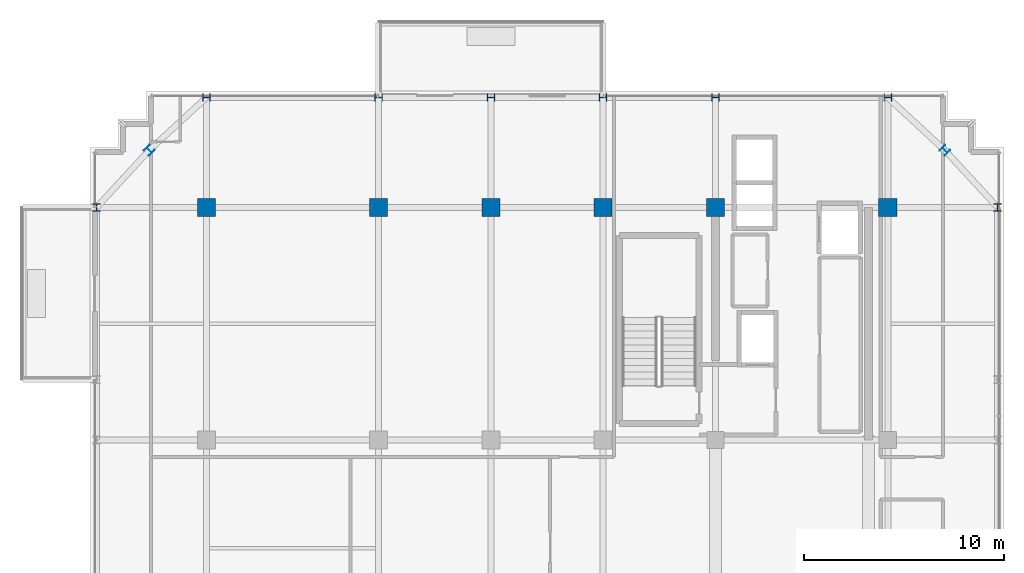
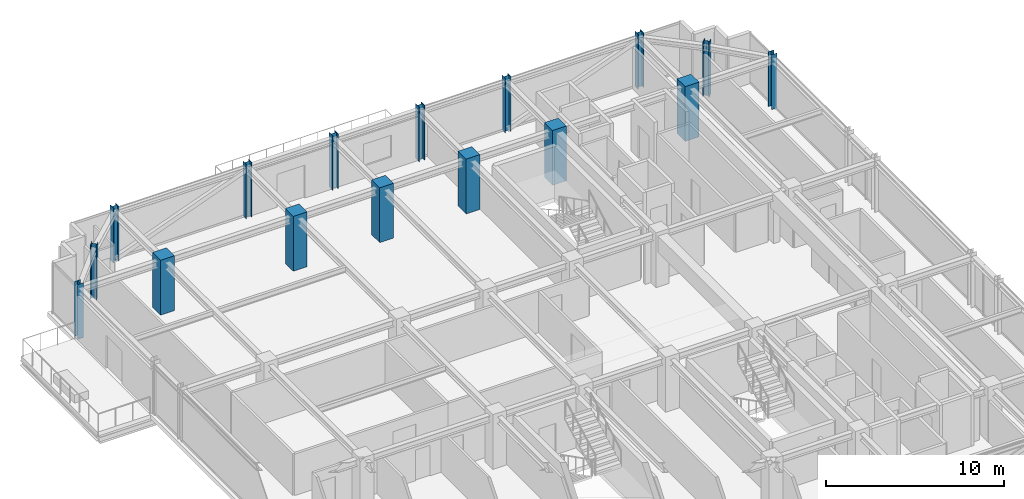
# One storey, part 3 of 36: 16 columns.
"""IFC4 building model written with IfcOpenShell, lengths in metres."""

from ifc_helpers import new_model, si_unit, direction, frame, origin, origin_2d, place, context, subcontext, project, spatial, rectangle, i_section, extrude, source, transform, mapped, material, material_profile, profile_set, type_object, element, save


model = new_model("IFC4")

# Units and contexts
model_context = context("Model", 3, precision=1e-05, world=origin(), true_north=direction((0.0, 1.0)))
body_context = subcontext(model_context, "Body", "Model", "MODEL_VIEW")
ifc_project = project(units=[si_unit("LENGTHUNIT", "METRE"), si_unit("AREAUNIT", "SQUARE_METRE"), si_unit("VOLUMEUNIT", "CUBIC_METRE"), si_unit("PLANEANGLEUNIT", "RADIAN"), si_unit("MASSUNIT", "GRAM", prefix="KILO")], contexts=[model_context])

# Site, building, storey
site_placement = place(None, origin())
site = spatial("IfcSite", under=ifc_project, at=site_placement, CompositionType="ELEMENT")
building_placement = place(site_placement, origin())
building = spatial("IfcBuilding", under=site, at=building_placement, Name="Nahalor Promenade Grand Hotel", CompositionType="ELEMENT")
storey_placement = place(building_placement, frame((0.0, 0.0, 319.550048828125)))
storey = spatial("IfcBuildingStorey", under=building, at=storey_placement, Name="L82", CompositionType="ELEMENT", Elevation=319.550048828125)

# Columns
ifc_material_1 = material(Name="Concrete B-50 (C40/50)", Category="concrete")
ifc_material_profile_1 = material_profile(ifc_material_1, rectangle(XDim=0.9, YDim=0.9, at=origin_2d()), Name="RC 900x900")
ifc_profile_set_1 = profile_set([ifc_material_profile_1], Name="Concrete B-50 (C40/50)")
column_type_1 = type_object("IfcColumnType", Name="Col-RC-900", PredefinedType="COLUMN", material=ifc_profile_set_1)
shared_shape_1 = source(origin(), body_context, "Body", "SweptSolid", [
    extrude(rectangle(XDim=0.9, YDim=0.9, at=origin_2d()), origin(), (0.0, 0.0, 1.0), 3.7548828125),
])
for number, where, z_axis, x_axis, name in (
    (1, (-17.0, 17.0, 0.0), (0.0, 0.0, 1.0), (1.0, 0.0, 0.0), "COL-L82-I03"),
    (2, (-8.39990234375, 17.0, 0.0), (0.0, 0.0, 1.0), (1.0, 0.0, 0.0), "COL-L82-I13"),
    (3, (-2.800048828125, 17.0, 0.0), (0.0, 0.0, 1.0), (1.0, 0.0, 0.0), "COL-L82-I23"),
    (4, (2.800048828125, 17.0, 0.0), (0.0, 0.0, 1.0), (1.0, 0.0, 0.0), "COL-L82-I33"),
    (5, (8.39990234375, 17.0, 0.0), (0.0, 0.0, 1.0), (1.0, 0.0, 0.0), "COL-L82-I43"),
    (6, (17.0, 17.0, 0.0), (0.0, 0.0, 1.0), (1.0, 0.0, 0.0), "COL-L82-I53"),
):
    element("IfcColumn", number, at=place(storey_placement, frame(where, z_axis=z_axis, x_axis=x_axis)), inside=storey, type_object=column_type_1, Name=name, PredefinedType="COLUMN", context=body_context, shape_type="MappedRepresentation", body=[
        mapped(shared_shape_1, transform((0.0, 0.0, 0.0), scale=1.0)),
    ])
ifc_material_2 = material(Name="Steel S355JR", Category="steel")
ifc_material_profile_2 = material_profile(ifc_material_2, i_section(OverallWidth=0.374, OverallDepth=0.374, WebThickness=0.0144, FlangeThickness=0.0229, at=origin_2d()), Name="HD 360x262")
ifc_profile_set_2 = profile_set([ifc_material_profile_2], Name="Steel S355JR")
column_type_2 = type_object("IfcColumnType", Name="Col-Steel-HD262", PredefinedType="COLUMN", material=ifc_profile_set_2)
shared_shape_2 = source(origin(), body_context, "Body", "SweptSolid", [
    extrude(i_section(OverallWidth=0.374, OverallDepth=0.374, WebThickness=0.0144, FlangeThickness=0.0229, at=origin_2d()), origin(), (0.0, 0.0, 1.0), 3.7548828125),
])
for number, where, z_axis, x_axis, name in (
    (7, (-22.47998046875, 17.0, 0.0), (0.0, 0.0, 1.0), (1.0, 0.0, 0.0), "COL-L82-PW-W5"),
    (8, (22.47998046875, 17.0, 0.0), (0.0, 0.0, 1.0), (1.0, 0.0, 0.0), "COL-L82-PW-E5"),
    (9, (-17.0, 22.47998046875, 0.0), (0.0, 0.0, 1.0), (0.0, 1.0, 0.0), "COL-L82-PN-N0"),
    (10, (-8.39990234375, 22.47998046875, 0.0), (0.0, 0.0, 1.0), (0.0, 1.0, 0.0), "COL-L82-PN-N1"),
    (11, (-2.800048828125, 22.47998046875, 0.0), (0.0, 0.0, 1.0), (0.0, 1.0, 0.0), "COL-L82-PN-N2"),
    (12, (2.800048828125, 22.47998046875, 0.0), (0.0, 0.0, 1.0), (0.0, 1.0, 0.0), "COL-L82-PN-N3"),
    (13, (8.39990234375, 22.47998046875, 0.0), (0.0, 0.0, 1.0), (0.0, 1.0, 0.0), "COL-L82-PN-N4"),
    (14, (17.0, 22.47998046875, 0.0), (0.0, 0.0, 1.0), (0.0, 1.0, 0.0), "COL-L82-PN-N5"),
    (15, (-19.85009765625, 19.85009765625, 0.0), (0.0, 0.0, 1.0), (0.707106781187, 0.707106781187, 0.0), "COL-L82-CRN-NW"),
    (16, (19.85009765625, 19.85009765625, 0.0), (0.0, 0.0, 1.0), (0.707106781187, 0.707106781187, 0.0), "COL-L82-CRN-NE"),
):
    element("IfcColumn", number, at=place(storey_placement, frame(where, z_axis=z_axis, x_axis=x_axis)), inside=storey, type_object=column_type_2, Name=name, PredefinedType="COLUMN", context=body_context, shape_type="MappedRepresentation", body=[
        mapped(shared_shape_2, transform((0.0, 0.0, 0.0), scale=1.0)),
    ])

save(model, "model.ifc")
